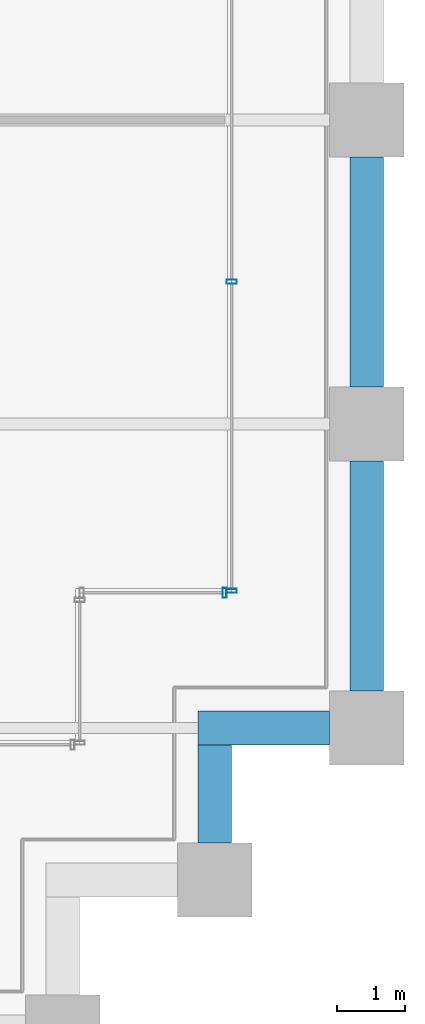
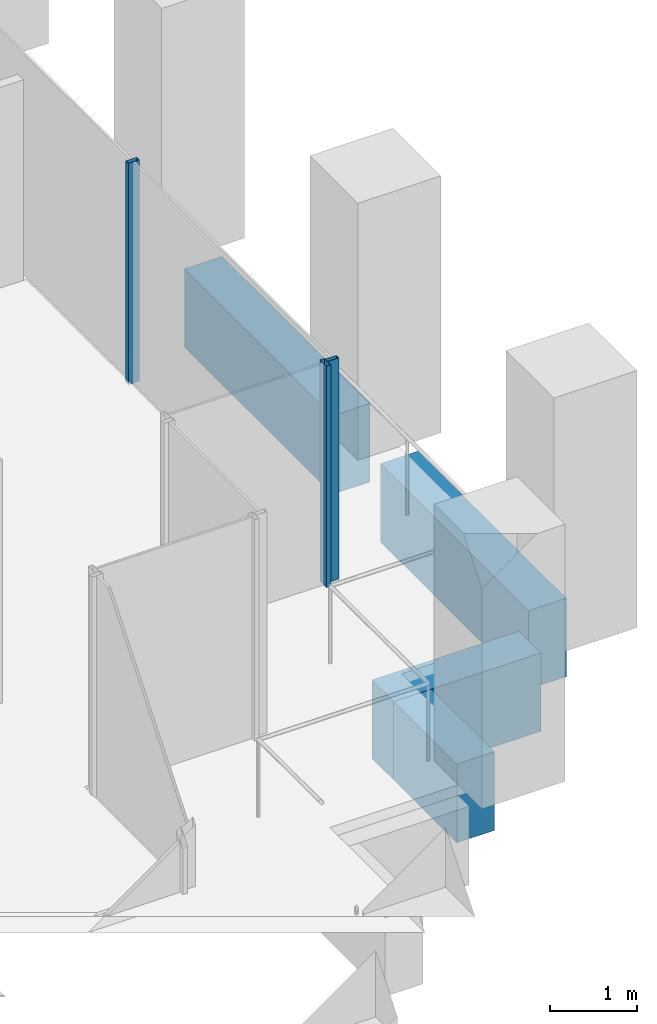
# One storey, part 46 of 54: 4 beams, 3 members, 2 elements without a shape of their own.
"""IFC4 building model written with IfcOpenShell, lengths in metres."""

from ifc_helpers import new_model, si_unit, direction, frame, origin, origin_2d, place, context, subcontext, project, spatial, rectangle, hollow_rectangle, extrude, material, material_profile, profile_set, type_object, element, aggregate, save


model = new_model("IFC4")

# Units and contexts
model_context = context("Model", 3, precision=1e-05, world=origin(), true_north=direction((0.0, 1.0)))
body_context = subcontext(model_context, "Body", "Model", "MODEL_VIEW")
ifc_project = project(units=[si_unit("LENGTHUNIT", "METRE"), si_unit("AREAUNIT", "SQUARE_METRE"), si_unit("VOLUMEUNIT", "CUBIC_METRE"), si_unit("PLANEANGLEUNIT", "RADIAN"), si_unit("MASSUNIT", "GRAM", prefix="KILO")], contexts=[model_context])

# Site, building, storey
site_placement = place(None, origin())
site = spatial("IfcSite", under=ifc_project, at=site_placement, CompositionType="ELEMENT")
building_placement = place(site_placement, origin())
building = spatial("IfcBuilding", under=site, at=building_placement, Name="Altepetl Exchange Towers", CompositionType="ELEMENT")
storey_placement = place(building_placement, frame((0.0, 0.0, 58.199951171875)))
storey = spatial("IfcBuildingStorey", under=building, at=storey_placement, Name="L13", CompositionType="ELEMENT", Elevation=58.199951171875)

# Curtain wall, member
ifc_material_1 = material(Name="Aluminium 6063-T6 glazing", Category="aluminium")
curtain_wall_type = type_object("IfcCurtainWallType", Name="Loggia glazing system", PredefinedType="NOTDEFINED", material=ifc_material_1)
curtain_wall_1_placement = place(storey_placement, origin())
curtain_wall_1 = element("IfcCurtainWall", 1, at=curtain_wall_1_placement, inside=storey, type_object=curtain_wall_type, Name="CW1 run", PredefinedType="NOTDEFINED")
ifc_material_2 = material(Name="Aluminium 6063-T6", Category="aluminium")
ifc_material_profile_1 = material_profile(ifc_material_2, hollow_rectangle(XDim=0.06005859375, YDim=0.14990234375, WallThickness=0.0029296875, at=origin_2d()), Name="Mullion 60x150 aluminium")
ifc_profile_set_1 = profile_set([ifc_material_profile_1], Name="Aluminium 6063-T6")
member_type = type_object("IfcMemberType", Name="Mullion 60x150 aluminium", PredefinedType="MULLION", material=ifc_profile_set_1)
member_1_placement = place(storey_placement, frame((123.89501953125, 33.5, 0.0)))
member_1 = element("IfcMember", 2, at=member_1_placement, type_object=member_type, Name="MU1 mullion", PredefinedType="MULLION", context=body_context, shape_type="SweptSolid", body=[
    extrude(hollow_rectangle(XDim=0.06005859375, YDim=0.14990234375, WallThickness=0.0029296875, at=origin_2d()), origin(), (0.0, 0.0, 1.0), 3.10009765625),
])
aggregate(curtain_wall_1, [member_1])

# Curtain wall, members
curtain_wall_2_placement = place(storey_placement, origin())
curtain_wall_2 = element("IfcCurtainWall", 3, at=curtain_wall_2_placement, inside=storey, type_object=curtain_wall_type, Name="CW1 run", PredefinedType="NOTDEFINED")
member_2_placement = place(storey_placement, frame((124.0, 33.530029296875, 0.0), z_axis=(0.0, 0.0, 1.0), x_axis=(0.0, 1.0, 0.0)))
member_2 = element("IfcMember", 4, at=member_2_placement, type_object=member_type, Name="MU1 mullion", PredefinedType="MULLION", context=body_context, shape_type="SweptSolid", body=[
    extrude(hollow_rectangle(XDim=0.06005859375, YDim=0.14990234375, WallThickness=0.0029296875, at=origin_2d()), origin(), (0.0, 0.0, 1.0), 3.10009765625),
])
member_3_placement = place(storey_placement, frame((124.0, 38.106201171875, 0.0), z_axis=(0.0, 0.0, 1.0), x_axis=(0.0, 1.0, 0.0)))
member_3 = element("IfcMember", 5, at=member_3_placement, type_object=member_type, Name="MU1 mullion", PredefinedType="MULLION", context=body_context, shape_type="SweptSolid", body=[
    extrude(hollow_rectangle(XDim=0.06005859375, YDim=0.14990234375, WallThickness=0.0029296875, at=origin_2d()), origin(), (0.0, 0.0, 1.0), 3.10009765625),
])
aggregate(curtain_wall_2, [member_2, member_3])

# Beams
ifc_material_3 = material(Name="Concrete C50/60 precast with cantera blanca facing", Category="concrete")
ifc_material_profile_2 = material_profile(ifc_material_3, rectangle(XDim=0.5, YDim=1.10009765625, at=origin_2d()), Name="500 x 1100")
ifc_profile_set_2 = profile_set([ifc_material_profile_2], Name="Concrete C50/60 precast with cantera blanca facing")
beam_type = type_object("IfcBeamType", Name="Spandrel beam 500x1100 cantera blanca", PredefinedType="SPANDREL", material=ifc_profile_set_2)
beam_1_placement = place(storey_placement, frame((123.75, 29.800048828125, -0.699951171875), z_axis=(0.0, 1.0, 0.0), x_axis=(-1.0, 0.0, 0.0)))
element("IfcBeam", 6, at=beam_1_placement, inside=storey, type_object=beam_type, Name="sp:B:L13:007", PredefinedType="SPANDREL", context=body_context, shape_type="SweptSolid", body=[
    extrude(rectangle(XDim=0.5, YDim=1.10009765625, at=origin_2d()), origin(), (0.0, 0.0, 1.0), 1.449951171875),
])
beam_2_placement = place(storey_placement, frame((123.5, 31.5, -0.699951171875), z_axis=(1.0, 0.0, 0.0), x_axis=(0.0, 1.0, 0.0)))
element("IfcBeam", 7, at=beam_2_placement, inside=storey, type_object=beam_type, Name="sp:B:L13:008", PredefinedType="SPANDREL", context=body_context, shape_type="SweptSolid", body=[
    extrude(rectangle(XDim=0.5, YDim=1.10009765625, at=origin_2d()), origin(), (0.0, 0.0, 1.0), 1.949951171875),
])
for number, where, z_axis, x_axis, name in (
    (8, (126.0, 32.050048828125, -0.699951171875), (0.0, 1.0, 0.0), (-1.0, 0.0, 0.0), "sp:B:L13:009"),
    (9, (126.0, 36.550048828125, -0.699951171875), (0.0, 1.0, 0.0), (-1.0, 0.0, 0.0), "sp:B:L13:010"),
):
    element("IfcBeam", number, at=place(storey_placement, frame(where, z_axis=z_axis, x_axis=x_axis)), inside=storey, type_object=beam_type, Name=name, PredefinedType="SPANDREL", context=body_context, shape_type="SweptSolid", body=[
        extrude(rectangle(XDim=0.5, YDim=1.10009765625, at=origin_2d()), origin(), (0.0, 0.0, 1.0), 3.39990234375),
    ])

save(model, "model.ifc")
